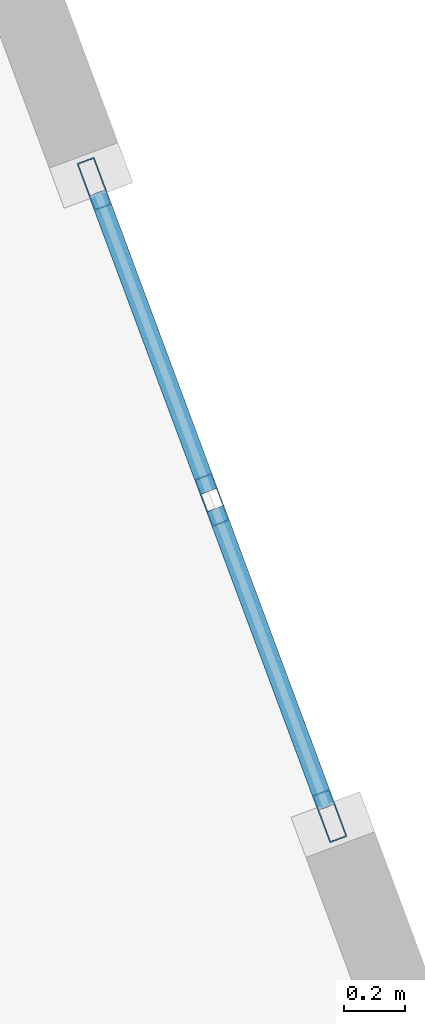
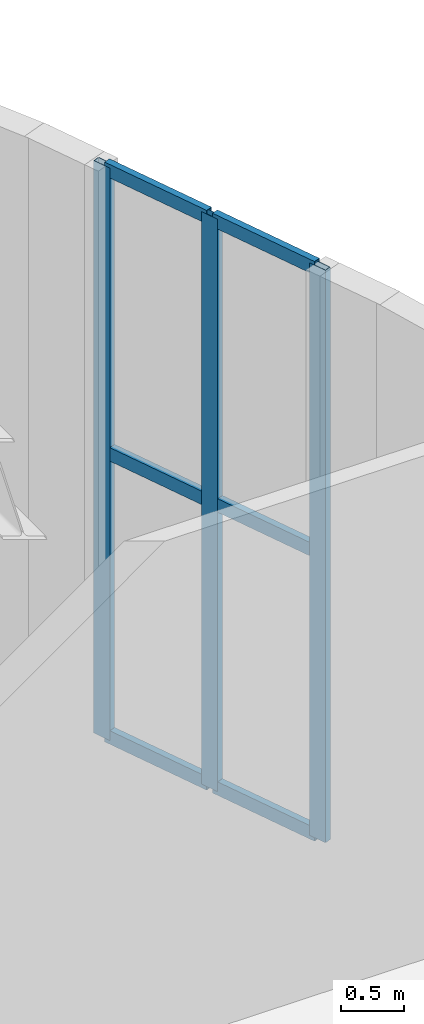
# One storey, part 8 of 16: 9 members, 1 element without a shape of its own.
"""IFC4 building model written with IfcOpenShell, lengths in metres."""

from ifc_helpers import new_model, si_unit, direction, frame, origin, origin_2d, place, context, subcontext, project, spatial, hollow_rectangle, extrude, material, layer, layer_set, material_profile, profile_set, type_object, element, aggregate, save


model = new_model("IFC4")

# Units and contexts
model_context = context("Model", 3, precision=1e-05, world=origin(), true_north=direction((0.0, 1.0)))
body_context = subcontext(model_context, "Body", "Model", "MODEL_VIEW")
ifc_project = project(units=[si_unit("LENGTHUNIT", "METRE"), si_unit("AREAUNIT", "SQUARE_METRE"), si_unit("VOLUMEUNIT", "CUBIC_METRE"), si_unit("PLANEANGLEUNIT", "RADIAN"), si_unit("MASSUNIT", "GRAM", prefix="KILO")], contexts=[model_context])

# Site, building, storey
site_placement = place(None, origin())
site = spatial("IfcSite", under=ifc_project, at=site_placement, CompositionType="ELEMENT")
building_placement = place(site_placement, origin())
building = spatial("IfcBuilding", under=site, at=building_placement, Name="Miruveldt Soraemaru", CompositionType="ELEMENT")
storey_placement = place(building_placement, frame((0.0, 0.0, 289.60009765625)))
storey = spatial("IfcBuildingStorey", under=building, at=storey_placement, Name="L78", CompositionType="ELEMENT", Elevation=289.60009765625)

# Curtain wall, members
ifc_material = material(Name="Anodised aluminium EN AW-6063 T6", Category="aluminium")
ifc_layer = layer(ifc_material, 0.1650390625, Name="Anodised aluminium EN AW-6063 T6", Category="aluminium")
ifc_layer_set = layer_set([ifc_layer], Name="Anodised aluminium EN AW-6063 T6")
curtain_wall_type = type_object("IfcCurtainWallType", Name="CW-SYS-5", PredefinedType="USERDEFINED", material=ifc_layer_set)
curtain_wall_placement = place(storey_placement, origin())
curtain_wall = element("IfcCurtainWall", 1, at=curtain_wall_placement, inside=storey, type_object=curtain_wall_type, Name="L78 Curtain Wall Bay 37", ObjectType="UNITISED GLAZING", PredefinedType="USERDEFINED")
ifc_material_profile_1 = material_profile(ifc_material, hollow_rectangle(XDim=0.06005859375, YDim=0.1650390625, WallThickness=0.00390625, at=origin_2d()), Name="Anodised aluminium EN AW-6063 T6", Category="aluminium")
ifc_profile_set_1 = profile_set([ifc_material_profile_1], Name="Anodised aluminium EN AW-6063 T6")
member_type_1 = type_object("IfcMemberType", Name="CWM-5", PredefinedType="MULLION", material=ifc_profile_set_1)
member_1_placement = place(storey_placement, frame((60.0361328125, 45.76953125, 0.0), z_axis=(0.0, 0.0, 1.0), x_axis=(-0.937126551344, -0.348989723009, 0.0)))
member_1 = element("IfcMember", 2, at=member_1_placement, type_object=member_type_1, Name="CW-5 mullion 1", PredefinedType="MULLION", context=body_context, shape_type="SweptSolid", body=[
    extrude(hollow_rectangle(XDim=0.06005859375, YDim=0.1650390625, WallThickness=0.00390625, at=origin_2d()), origin(), (0.0, 0.0, 1.0), 5.510009765625),
])
member_2_placement = place(storey_placement, frame((59.651123046875, 46.80322265625, 0.0), z_axis=(0.0, 0.0, 1.0), x_axis=(-0.937126551344, -0.348989723009, 0.0)))
member_2 = element("IfcMember", 3, at=member_2_placement, type_object=member_type_1, Name="CW-5 mullion 2", PredefinedType="MULLION", context=body_context, shape_type="SweptSolid", body=[
    extrude(hollow_rectangle(XDim=0.06005859375, YDim=0.1650390625, WallThickness=0.00390625, at=origin_2d()), origin(), (0.0, 0.0, 1.0), 5.510009765625),
])
member_3_placement = place(storey_placement, frame((59.26611328125, 47.8369140625, 0.0), z_axis=(0.0, 0.0, 1.0), x_axis=(-0.937126551344, -0.348989723009, 0.0)))
member_3 = element("IfcMember", 4, at=member_3_placement, type_object=member_type_1, Name="CW-5 mullion 3", PredefinedType="MULLION", context=body_context, shape_type="SweptSolid", body=[
    extrude(hollow_rectangle(XDim=0.06005859375, YDim=0.1650390625, WallThickness=0.00390625, at=origin_2d()), origin(), (0.0, 0.0, 1.0), 5.510009765625),
])
ifc_material_profile_2 = material_profile(ifc_material, hollow_rectangle(XDim=0.06005859375, YDim=0.1298828125, WallThickness=0.00390625, at=origin_2d()), Name="Anodised aluminium EN AW-6063 T6", Category="aluminium")
ifc_profile_set_2 = profile_set([ifc_material_profile_2], Name="Anodised aluminium EN AW-6063 T6")
member_type_2 = type_object("IfcMemberType", Name="CWT-5", PredefinedType="USERDEFINED", material=ifc_profile_set_2)
member_4_placement = place(storey_placement, frame((60.025634765625, 45.797607421875, 0.02978515625), z_axis=(-0.348967973115, 0.937134650805, 0.0), x_axis=(-0.937134650805, -0.348967973115, 0.0)))
member_4 = element("IfcMember", 5, at=member_4_placement, type_object=member_type_2, Name="CW-5 transom 1.1", ObjectType="TRANSOM", PredefinedType="USERDEFINED", context=body_context, shape_type="SweptSolid", body=[
    extrude(hollow_rectangle(XDim=0.06005859375, YDim=0.1298828125, WallThickness=0.00390625, at=origin_2d()), origin(), (0.0, 0.0, 1.0), 1.043212890625),
])
member_5_placement = place(storey_placement, frame((60.025634765625, 45.797607421875, 2.7548828125), z_axis=(-0.348967973115, 0.937134650805, 0.0), x_axis=(-0.937134650805, -0.348967973115, 0.0)))
member_5 = element("IfcMember", 6, at=member_5_placement, type_object=member_type_2, Name="CW-5 transom 1.2", ObjectType="TRANSOM", PredefinedType="USERDEFINED", context=body_context, shape_type="SweptSolid", body=[
    extrude(hollow_rectangle(XDim=0.06005859375, YDim=0.1298828125, WallThickness=0.00390625, at=origin_2d()), origin(), (0.0, 0.0, 1.0), 1.043212890625),
])
member_6_placement = place(storey_placement, frame((60.025634765625, 45.797607421875, 5.47998046875), z_axis=(-0.348967973115, 0.937134650805, 0.0), x_axis=(-0.937134650805, -0.348967973115, 0.0)))
member_6 = element("IfcMember", 7, at=member_6_placement, type_object=member_type_2, Name="CW-5 transom 1.3", ObjectType="TRANSOM", PredefinedType="USERDEFINED", context=body_context, shape_type="SweptSolid", body=[
    extrude(hollow_rectangle(XDim=0.06005859375, YDim=0.1298828125, WallThickness=0.00390625, at=origin_2d()), origin(), (0.0, 0.0, 1.0), 1.043212890625),
])
member_7_placement = place(storey_placement, frame((59.640625, 46.831298828125, 0.02978515625), z_axis=(-0.348967973115, 0.937134650805, 0.0), x_axis=(-0.937134650805, -0.348967973115, 0.0)))
member_7 = element("IfcMember", 8, at=member_7_placement, type_object=member_type_2, Name="CW-5 transom 2.1", ObjectType="TRANSOM", PredefinedType="USERDEFINED", context=body_context, shape_type="SweptSolid", body=[
    extrude(hollow_rectangle(XDim=0.06005859375, YDim=0.1298828125, WallThickness=0.00390625, at=origin_2d()), origin(), (0.0, 0.0, 1.0), 1.043212890625),
])
member_8_placement = place(storey_placement, frame((59.640625, 46.831298828125, 2.7548828125), z_axis=(-0.348967973115, 0.937134650805, 0.0), x_axis=(-0.937134650805, -0.348967973115, 0.0)))
member_8 = element("IfcMember", 9, at=member_8_placement, type_object=member_type_2, Name="CW-5 transom 2.2", ObjectType="TRANSOM", PredefinedType="USERDEFINED", context=body_context, shape_type="SweptSolid", body=[
    extrude(hollow_rectangle(XDim=0.06005859375, YDim=0.1298828125, WallThickness=0.00390625, at=origin_2d()), origin(), (0.0, 0.0, 1.0), 1.043212890625),
])
member_9_placement = place(storey_placement, frame((59.640625, 46.831298828125, 5.47998046875), z_axis=(-0.348967973115, 0.937134650805, 0.0), x_axis=(-0.937134650805, -0.348967973115, 0.0)))
member_9 = element("IfcMember", 10, at=member_9_placement, type_object=member_type_2, Name="CW-5 transom 2.3", ObjectType="TRANSOM", PredefinedType="USERDEFINED", context=body_context, shape_type="SweptSolid", body=[
    extrude(hollow_rectangle(XDim=0.06005859375, YDim=0.1298828125, WallThickness=0.00390625, at=origin_2d()), origin(), (0.0, 0.0, 1.0), 1.043212890625),
])
aggregate(curtain_wall, [member_1, member_2, member_3, member_4, member_5, member_6, member_7, member_8, member_9])

save(model, "model.ifc")
